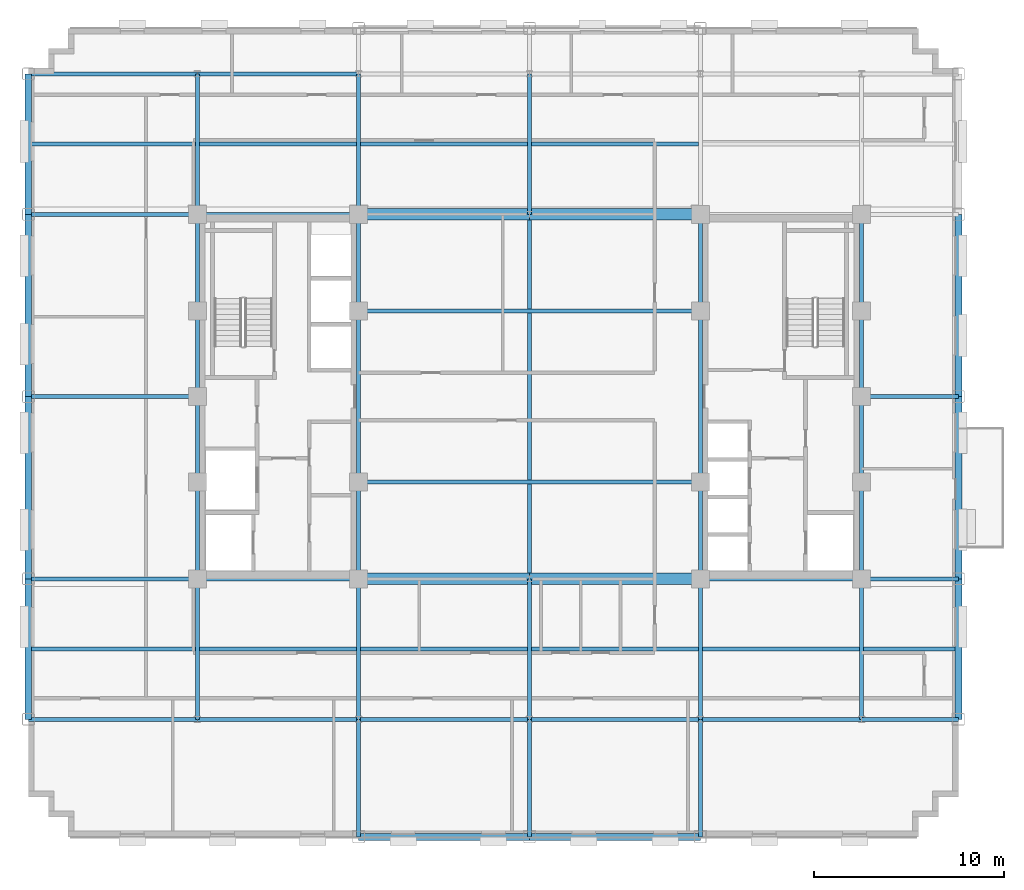
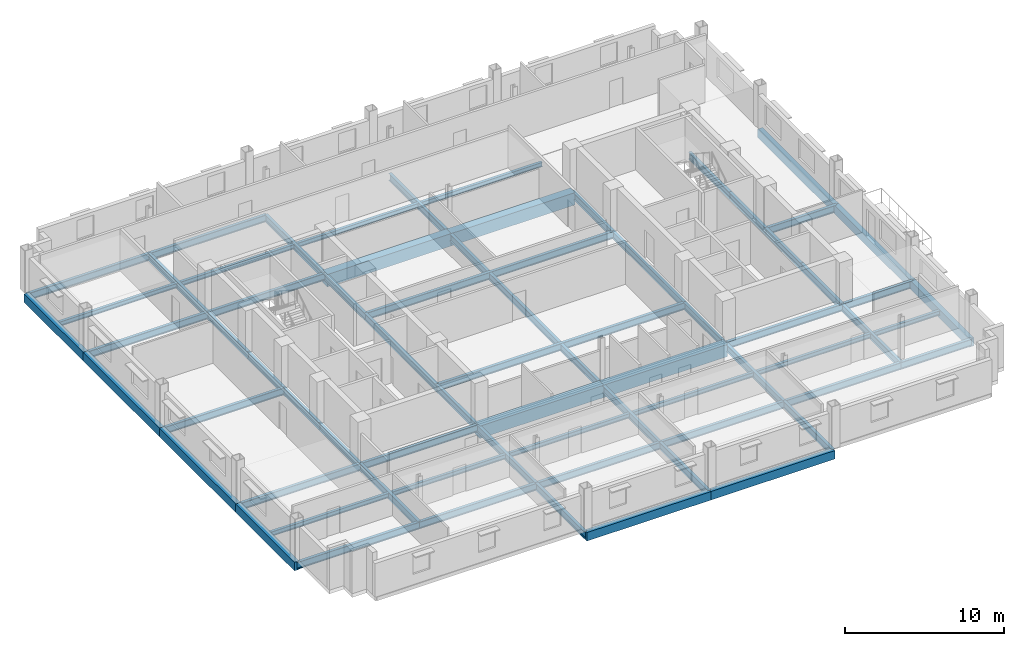
# One storey, part 5 of 14: 67 beams.
"""IFC4 building model written with IfcOpenShell, lengths in metres."""

from ifc_helpers import new_model, si_unit, direction, frame, origin, origin_2d, place, context, subcontext, project, spatial, rectangle, i_section, extrude, material, material_profile, profile_set, type_object, element, save


model = new_model("IFC4")

# Units and contexts
model_context = context("Model", 3, precision=1e-05, world=origin(), true_north=direction((0.0, 1.0)))
body_context = subcontext(model_context, "Body", "Model", "MODEL_VIEW")
ifc_project = project(units=[si_unit("LENGTHUNIT", "METRE"), si_unit("AREAUNIT", "SQUARE_METRE"), si_unit("VOLUMEUNIT", "CUBIC_METRE"), si_unit("PLANEANGLEUNIT", "RADIAN"), si_unit("MASSUNIT", "GRAM", prefix="KILO")], contexts=[model_context])

# Site, building, storey
site_placement = place(None, origin())
site = spatial("IfcSite", under=ifc_project, at=site_placement, CompositionType="ELEMENT")
building_placement = place(site_placement, origin())
building = spatial("IfcBuilding", under=site, at=building_placement, Name="Nuvemarco Arch Tower", CompositionType="ELEMENT")
storey_placement = place(building_placement, frame((0.0, 0.0, 182.25)))
storey = spatial("IfcBuildingStorey", under=building, at=storey_placement, Name="L48", CompositionType="ELEMENT", Elevation=182.25)

# Beams
ifc_material_1 = material(Name="Concrete C60/75", Category="concrete")
ifc_material_profile_1 = material_profile(ifc_material_1, rectangle(XDim=0.60009765625, YDim=0.949951171875, at=origin_2d()), Name="RC-BM-600x950")
ifc_profile_set_1 = profile_set([ifc_material_profile_1], Name="Concrete C60/75")
beam_type_1 = type_object("IfcBeamType", Name="BM-COUP-RC", PredefinedType="LINTEL", material=ifc_profile_set_1)
for number, where, z_axis, x_axis, name in (
    (1, (-9.0, -9.60009765625, -0.7548828125), (1.0, 0.0, 0.0), (0.0, 1.0, 0.0), "L48 structural beam BGEW_L48_0_-9.6_-9.0"),
    (2, (0.0, -9.60009765625, -0.7548828125), (1.0, 0.0, 0.0), (0.0, 1.0, 0.0), "L48 structural beam BGEW_L48_0_-9.6_+0.0"),
    (3, (-9.0, 9.60009765625, -0.7548828125), (1.0, 0.0, 0.0), (0.0, 1.0, 0.0), "L48 structural beam BGEW_L48_0_+9.6_-9.0"),
    (4, (0.0, 9.60009765625, -0.7548828125), (1.0, 0.0, 0.0), (0.0, 1.0, 0.0), "L48 structural beam BGEW_L48_0_+9.6_+0.0"),
):
    element("IfcBeam", number, at=place(storey_placement, frame(where, z_axis=z_axis, x_axis=x_axis)), inside=storey, type_object=beam_type_1, Name=name, PredefinedType="LINTEL", context=body_context, shape_type="SweptSolid", body=[
        extrude(rectangle(XDim=0.60009765625, YDim=0.949951171875, at=origin_2d()), origin(), (0.0, 0.0, 1.0), 9.0),
    ])
ifc_material_2 = material(Name="Steel S355", Category="steel")
ifc_material_profile_2 = material_profile(ifc_material_2, i_section(OverallWidth=0.2109375, OverallDepth=0.5390625, WebThickness=0.01171875, FlangeThickness=0.018798828125, FilletRadius=0.01611328125, at=origin_2d()), Name="W530x109")
ifc_profile_set_2 = profile_set([ifc_material_profile_2], Name="Steel S355")
beam_type_2 = type_object("IfcBeamType", Name="BM-GIRD-530", PredefinedType="BEAM", material=ifc_profile_set_2)
beam_1_placement = place(storey_placement, frame((-17.5, -17.0, -0.549560546875), z_axis=(0.0, 1.0, 0.0), x_axis=(-1.0, 0.0, 0.0)))
element("IfcBeam", 5, at=beam_1_placement, inside=storey, type_object=beam_type_2, Name="L48 structural beam BGNS_L48_0_-17.5_-17.0", PredefinedType="BEAM", context=body_context, shape_type="SweptSolid", body=[
    extrude(i_section(OverallWidth=0.2109375, OverallDepth=0.5390625, WebThickness=0.01171875, FlangeThickness=0.018798828125, FilletRadius=0.01611328125, at=origin_2d()), origin(), (0.0, 0.0, 1.0), 7.39990234375),
])
beam_2_placement = place(storey_placement, frame((-17.5, -9.60009765625, -0.549560546875), z_axis=(0.0, 1.0, 0.0), x_axis=(-1.0, 0.0, 0.0)))
element("IfcBeam", 6, at=beam_2_placement, inside=storey, type_object=beam_type_2, Name="L48 structural beam BGNS_L48_0_-17.5_-9.6", PredefinedType="BEAM", context=body_context, shape_type="SweptSolid", body=[
    extrude(i_section(OverallWidth=0.2109375, OverallDepth=0.5390625, WebThickness=0.01171875, FlangeThickness=0.018798828125, FilletRadius=0.01611328125, at=origin_2d()), origin(), (0.0, 0.0, 1.0), 5.10009765625),
])
for number, where, z_axis, x_axis, name in (
    (7, (-17.5, -4.5, -0.549560546875), (0.0, 1.0, 0.0), (-1.0, 0.0, 0.0), "L48 structural beam BGNS_L48_0_-17.5_-4.5"),
    (8, (-17.5, 0.0, -0.549560546875), (0.0, 1.0, 0.0), (-1.0, 0.0, 0.0), "L48 structural beam BGNS_L48_0_-17.5_+0.0"),
):
    element("IfcBeam", number, at=place(storey_placement, frame(where, z_axis=z_axis, x_axis=x_axis)), inside=storey, type_object=beam_type_2, Name=name, PredefinedType="BEAM", context=body_context, shape_type="SweptSolid", body=[
        extrude(i_section(OverallWidth=0.2109375, OverallDepth=0.5390625, WebThickness=0.01171875, FlangeThickness=0.018798828125, FilletRadius=0.01611328125, at=origin_2d()), origin(), (0.0, 0.0, 1.0), 4.5),
    ])
beam_3_placement = place(storey_placement, frame((-17.5, 4.5, -0.549560546875), z_axis=(0.0, 1.0, 0.0), x_axis=(-1.0, 0.0, 0.0)))
element("IfcBeam", 9, at=beam_3_placement, inside=storey, type_object=beam_type_2, Name="L48 structural beam BGNS_L48_0_-17.5_+4.5", PredefinedType="BEAM", context=body_context, shape_type="SweptSolid", body=[
    extrude(i_section(OverallWidth=0.2109375, OverallDepth=0.5390625, WebThickness=0.01171875, FlangeThickness=0.018798828125, FilletRadius=0.01611328125, at=origin_2d()), origin(), (0.0, 0.0, 1.0), 5.10009765625),
])
beam_4_placement = place(storey_placement, frame((-17.5, 9.60009765625, -0.549560546875), z_axis=(0.0, 1.0, 0.0), x_axis=(-1.0, 0.0, 0.0)))
element("IfcBeam", 10, at=beam_4_placement, inside=storey, type_object=beam_type_2, Name="L48 structural beam BGNS_L48_0_-17.5_+9.6", PredefinedType="BEAM", context=body_context, shape_type="SweptSolid", body=[
    extrude(i_section(OverallWidth=0.2109375, OverallDepth=0.5390625, WebThickness=0.01171875, FlangeThickness=0.018798828125, FilletRadius=0.01611328125, at=origin_2d()), origin(), (0.0, 0.0, 1.0), 7.39990234375),
])
beam_5_placement = place(storey_placement, frame((-9.0, -23.199951171875, -0.549560546875), z_axis=(0.0, 1.0, 0.0), x_axis=(-1.0, 0.0, 0.0)))
element("IfcBeam", 11, at=beam_5_placement, inside=storey, type_object=beam_type_2, Name="L48 structural beam BGNS_L48_0_-9.0_-23.2", PredefinedType="BEAM", context=body_context, shape_type="SweptSolid", body=[
    extrude(i_section(OverallWidth=0.2109375, OverallDepth=0.5390625, WebThickness=0.01171875, FlangeThickness=0.018798828125, FilletRadius=0.01611328125, at=origin_2d()), origin(), (0.0, 0.0, 1.0), 6.199951171875),
])
beam_6_placement = place(storey_placement, frame((-9.0, -17.0, -0.549560546875), z_axis=(0.0, 1.0, 0.0), x_axis=(-1.0, 0.0, 0.0)))
element("IfcBeam", 12, at=beam_6_placement, inside=storey, type_object=beam_type_2, Name="L48 structural beam BGNS_L48_0_-9.0_-17.0", PredefinedType="BEAM", context=body_context, shape_type="SweptSolid", body=[
    extrude(i_section(OverallWidth=0.2109375, OverallDepth=0.5390625, WebThickness=0.01171875, FlangeThickness=0.018798828125, FilletRadius=0.01611328125, at=origin_2d()), origin(), (0.0, 0.0, 1.0), 7.39990234375),
])
beam_7_placement = place(storey_placement, frame((-9.0, -9.60009765625, -0.549560546875), z_axis=(0.0, 1.0, 0.0), x_axis=(-1.0, 0.0, 0.0)))
element("IfcBeam", 13, at=beam_7_placement, inside=storey, type_object=beam_type_2, Name="L48 structural beam BGNS_L48_0_-9.0_-9.6", PredefinedType="BEAM", context=body_context, shape_type="SweptSolid", body=[
    extrude(i_section(OverallWidth=0.2109375, OverallDepth=0.5390625, WebThickness=0.01171875, FlangeThickness=0.018798828125, FilletRadius=0.01611328125, at=origin_2d()), origin(), (0.0, 0.0, 1.0), 5.10009765625),
])
beam_8_placement = place(storey_placement, frame((-9.0, -4.5, -0.549560546875), z_axis=(0.0, 1.0, 0.0), x_axis=(-1.0, 0.0, 0.0)))
element("IfcBeam", 14, at=beam_8_placement, inside=storey, type_object=beam_type_2, Name="L48 structural beam BGNS_L48_0_-9.0_-4.5", PredefinedType="BEAM", context=body_context, shape_type="SweptSolid", body=[
    extrude(i_section(OverallWidth=0.2109375, OverallDepth=0.5390625, WebThickness=0.01171875, FlangeThickness=0.018798828125, FilletRadius=0.01611328125, at=origin_2d()), origin(), (0.0, 0.0, 1.0), 9.0),
])
beam_9_placement = place(storey_placement, frame((-9.0, 4.5, -0.549560546875), z_axis=(0.0, 1.0, 0.0), x_axis=(-1.0, 0.0, 0.0)))
element("IfcBeam", 15, at=beam_9_placement, inside=storey, type_object=beam_type_2, Name="L48 structural beam BGNS_L48_0_-9.0_+4.5", PredefinedType="BEAM", context=body_context, shape_type="SweptSolid", body=[
    extrude(i_section(OverallWidth=0.2109375, OverallDepth=0.5390625, WebThickness=0.01171875, FlangeThickness=0.018798828125, FilletRadius=0.01611328125, at=origin_2d()), origin(), (0.0, 0.0, 1.0), 5.10009765625),
])
beam_10_placement = place(storey_placement, frame((-9.0, 9.60009765625, -0.549560546875), z_axis=(0.0, 1.0, 0.0), x_axis=(-1.0, 0.0, 0.0)))
element("IfcBeam", 16, at=beam_10_placement, inside=storey, type_object=beam_type_2, Name="L48 structural beam BGNS_L48_0_-9.0_+9.6", PredefinedType="BEAM", context=body_context, shape_type="SweptSolid", body=[
    extrude(i_section(OverallWidth=0.2109375, OverallDepth=0.5390625, WebThickness=0.01171875, FlangeThickness=0.018798828125, FilletRadius=0.01611328125, at=origin_2d()), origin(), (0.0, 0.0, 1.0), 7.39990234375),
])
beam_11_placement = place(storey_placement, frame((0.0, -23.199951171875, -0.549560546875), z_axis=(0.0, 1.0, 0.0), x_axis=(-1.0, 0.0, 0.0)))
element("IfcBeam", 17, at=beam_11_placement, inside=storey, type_object=beam_type_2, Name="L48 structural beam BGNS_L48_0_+0.0_-23.2", PredefinedType="BEAM", context=body_context, shape_type="SweptSolid", body=[
    extrude(i_section(OverallWidth=0.2109375, OverallDepth=0.5390625, WebThickness=0.01171875, FlangeThickness=0.018798828125, FilletRadius=0.01611328125, at=origin_2d()), origin(), (0.0, 0.0, 1.0), 6.199951171875),
])
beam_12_placement = place(storey_placement, frame((0.0, -17.0, -0.549560546875), z_axis=(0.0, 1.0, 0.0), x_axis=(-1.0, 0.0, 0.0)))
element("IfcBeam", 18, at=beam_12_placement, inside=storey, type_object=beam_type_2, Name="L48 structural beam BGNS_L48_0_+0.0_-17.0", PredefinedType="BEAM", context=body_context, shape_type="SweptSolid", body=[
    extrude(i_section(OverallWidth=0.2109375, OverallDepth=0.5390625, WebThickness=0.01171875, FlangeThickness=0.018798828125, FilletRadius=0.01611328125, at=origin_2d()), origin(), (0.0, 0.0, 1.0), 7.39990234375),
])
beam_13_placement = place(storey_placement, frame((0.0, -9.60009765625, -0.549560546875), z_axis=(0.0, 1.0, 0.0), x_axis=(-1.0, 0.0, 0.0)))
element("IfcBeam", 19, at=beam_13_placement, inside=storey, type_object=beam_type_2, Name="L48 structural beam BGNS_L48_0_+0.0_-9.6", PredefinedType="BEAM", context=body_context, shape_type="SweptSolid", body=[
    extrude(i_section(OverallWidth=0.2109375, OverallDepth=0.5390625, WebThickness=0.01171875, FlangeThickness=0.018798828125, FilletRadius=0.01611328125, at=origin_2d()), origin(), (0.0, 0.0, 1.0), 19.2001953125),
])
beam_14_placement = place(storey_placement, frame((0.0, 9.60009765625, -0.549560546875), z_axis=(0.0, 1.0, 0.0), x_axis=(-1.0, 0.0, 0.0)))
element("IfcBeam", 20, at=beam_14_placement, inside=storey, type_object=beam_type_2, Name="L48 structural beam BGNS_L48_0_+0.0_+9.6", PredefinedType="BEAM", context=body_context, shape_type="SweptSolid", body=[
    extrude(i_section(OverallWidth=0.2109375, OverallDepth=0.5390625, WebThickness=0.01171875, FlangeThickness=0.018798828125, FilletRadius=0.01611328125, at=origin_2d()), origin(), (0.0, 0.0, 1.0), 7.39990234375),
])
beam_15_placement = place(storey_placement, frame((9.0, -23.199951171875, -0.549560546875), z_axis=(0.0, 1.0, 0.0), x_axis=(-1.0, 0.0, 0.0)))
element("IfcBeam", 21, at=beam_15_placement, inside=storey, type_object=beam_type_2, Name="L48 structural beam BGNS_L48_0_+9.0_-23.2", PredefinedType="BEAM", context=body_context, shape_type="SweptSolid", body=[
    extrude(i_section(OverallWidth=0.2109375, OverallDepth=0.5390625, WebThickness=0.01171875, FlangeThickness=0.018798828125, FilletRadius=0.01611328125, at=origin_2d()), origin(), (0.0, 0.0, 1.0), 6.199951171875),
])
beam_16_placement = place(storey_placement, frame((9.0, -17.0, -0.549560546875), z_axis=(0.0, 1.0, 0.0), x_axis=(-1.0, 0.0, 0.0)))
element("IfcBeam", 22, at=beam_16_placement, inside=storey, type_object=beam_type_2, Name="L48 structural beam BGNS_L48_0_+9.0_-17.0", PredefinedType="BEAM", context=body_context, shape_type="SweptSolid", body=[
    extrude(i_section(OverallWidth=0.2109375, OverallDepth=0.5390625, WebThickness=0.01171875, FlangeThickness=0.018798828125, FilletRadius=0.01611328125, at=origin_2d()), origin(), (0.0, 0.0, 1.0), 7.39990234375),
])
beam_17_placement = place(storey_placement, frame((9.0, -9.60009765625, -0.549560546875), z_axis=(0.0, 1.0, 0.0), x_axis=(-1.0, 0.0, 0.0)))
element("IfcBeam", 23, at=beam_17_placement, inside=storey, type_object=beam_type_2, Name="L48 structural beam BGNS_L48_0_+9.0_-9.6", PredefinedType="BEAM", context=body_context, shape_type="SweptSolid", body=[
    extrude(i_section(OverallWidth=0.2109375, OverallDepth=0.5390625, WebThickness=0.01171875, FlangeThickness=0.018798828125, FilletRadius=0.01611328125, at=origin_2d()), origin(), (0.0, 0.0, 1.0), 5.10009765625),
])
beam_18_placement = place(storey_placement, frame((9.0, -4.5, -0.549560546875), z_axis=(0.0, 1.0, 0.0), x_axis=(-1.0, 0.0, 0.0)))
element("IfcBeam", 24, at=beam_18_placement, inside=storey, type_object=beam_type_2, Name="L48 structural beam BGNS_L48_0_+9.0_-4.5", PredefinedType="BEAM", context=body_context, shape_type="SweptSolid", body=[
    extrude(i_section(OverallWidth=0.2109375, OverallDepth=0.5390625, WebThickness=0.01171875, FlangeThickness=0.018798828125, FilletRadius=0.01611328125, at=origin_2d()), origin(), (0.0, 0.0, 1.0), 9.0),
])
beam_19_placement = place(storey_placement, frame((9.0, 4.5, -0.549560546875), z_axis=(0.0, 1.0, 0.0), x_axis=(-1.0, 0.0, 0.0)))
element("IfcBeam", 25, at=beam_19_placement, inside=storey, type_object=beam_type_2, Name="L48 structural beam BGNS_L48_0_+9.0_+4.5", PredefinedType="BEAM", context=body_context, shape_type="SweptSolid", body=[
    extrude(i_section(OverallWidth=0.2109375, OverallDepth=0.5390625, WebThickness=0.01171875, FlangeThickness=0.018798828125, FilletRadius=0.01611328125, at=origin_2d()), origin(), (0.0, 0.0, 1.0), 5.10009765625),
])
beam_20_placement = place(storey_placement, frame((17.5, -17.0, -0.549560546875), z_axis=(0.0, 1.0, 0.0), x_axis=(-1.0, 0.0, 0.0)))
element("IfcBeam", 26, at=beam_20_placement, inside=storey, type_object=beam_type_2, Name="L48 structural beam BGNS_L48_0_+17.5_-17.0", PredefinedType="BEAM", context=body_context, shape_type="SweptSolid", body=[
    extrude(i_section(OverallWidth=0.2109375, OverallDepth=0.5390625, WebThickness=0.01171875, FlangeThickness=0.018798828125, FilletRadius=0.01611328125, at=origin_2d()), origin(), (0.0, 0.0, 1.0), 7.39990234375),
])
beam_21_placement = place(storey_placement, frame((17.5, -9.60009765625, -0.549560546875), z_axis=(0.0, 1.0, 0.0), x_axis=(-1.0, 0.0, 0.0)))
element("IfcBeam", 27, at=beam_21_placement, inside=storey, type_object=beam_type_2, Name="L48 structural beam BGNS_L48_0_+17.5_-9.6", PredefinedType="BEAM", context=body_context, shape_type="SweptSolid", body=[
    extrude(i_section(OverallWidth=0.2109375, OverallDepth=0.5390625, WebThickness=0.01171875, FlangeThickness=0.018798828125, FilletRadius=0.01611328125, at=origin_2d()), origin(), (0.0, 0.0, 1.0), 5.10009765625),
])
for number, where, z_axis, x_axis, name in (
    (28, (17.5, -4.5, -0.549560546875), (0.0, 1.0, 0.0), (-1.0, 0.0, 0.0), "L48 structural beam BGNS_L48_0_+17.5_-4.5"),
    (29, (17.5, 0.0, -0.549560546875), (0.0, 1.0, 0.0), (-1.0, 0.0, 0.0), "L48 structural beam BGNS_L48_0_+17.5_+0.0"),
):
    element("IfcBeam", number, at=place(storey_placement, frame(where, z_axis=z_axis, x_axis=x_axis)), inside=storey, type_object=beam_type_2, Name=name, PredefinedType="BEAM", context=body_context, shape_type="SweptSolid", body=[
        extrude(i_section(OverallWidth=0.2109375, OverallDepth=0.5390625, WebThickness=0.01171875, FlangeThickness=0.018798828125, FilletRadius=0.01611328125, at=origin_2d()), origin(), (0.0, 0.0, 1.0), 4.5),
    ])
beam_22_placement = place(storey_placement, frame((17.5, 4.5, -0.549560546875), z_axis=(0.0, 1.0, 0.0), x_axis=(-1.0, 0.0, 0.0)))
element("IfcBeam", 30, at=beam_22_placement, inside=storey, type_object=beam_type_2, Name="L48 structural beam BGNS_L48_0_+17.5_+4.5", PredefinedType="BEAM", context=body_context, shape_type="SweptSolid", body=[
    extrude(i_section(OverallWidth=0.2109375, OverallDepth=0.5390625, WebThickness=0.01171875, FlangeThickness=0.018798828125, FilletRadius=0.01611328125, at=origin_2d()), origin(), (0.0, 0.0, 1.0), 5.10009765625),
])
beam_23_placement = place(storey_placement, frame((-26.39990234375, -17.0, -0.549560546875), z_axis=(1.0, 0.0, 0.0), x_axis=(0.0, 1.0, 0.0)))
element("IfcBeam", 31, at=beam_23_placement, inside=storey, type_object=beam_type_2, Name="L48 structural beam BGEW_L48_0_-17.0_-26.4", PredefinedType="BEAM", context=body_context, shape_type="SweptSolid", body=[
    extrude(i_section(OverallWidth=0.2109375, OverallDepth=0.5390625, WebThickness=0.01171875, FlangeThickness=0.018798828125, FilletRadius=0.01611328125, at=origin_2d()), origin(), (0.0, 0.0, 1.0), 8.89990234375),
])
beam_24_placement = place(storey_placement, frame((-17.5, -17.0, -0.549560546875), z_axis=(1.0, 0.0, 0.0), x_axis=(0.0, 1.0, 0.0)))
element("IfcBeam", 32, at=beam_24_placement, inside=storey, type_object=beam_type_2, Name="L48 structural beam BGEW_L48_0_-17.0_-17.5", PredefinedType="BEAM", context=body_context, shape_type="SweptSolid", body=[
    extrude(i_section(OverallWidth=0.2109375, OverallDepth=0.5390625, WebThickness=0.01171875, FlangeThickness=0.018798828125, FilletRadius=0.01611328125, at=origin_2d()), origin(), (0.0, 0.0, 1.0), 8.5),
])
for number, where, z_axis, x_axis, name in (
    (33, (-9.0, -17.0, -0.549560546875), (1.0, 0.0, 0.0), (0.0, 1.0, 0.0), "L48 structural beam BGEW_L48_0_-17.0_-9.0"),
    (34, (0.0, -17.0, -0.549560546875), (1.0, 0.0, 0.0), (0.0, 1.0, 0.0), "L48 structural beam BGEW_L48_0_-17.0_+0.0"),
):
    element("IfcBeam", number, at=place(storey_placement, frame(where, z_axis=z_axis, x_axis=x_axis)), inside=storey, type_object=beam_type_2, Name=name, PredefinedType="BEAM", context=body_context, shape_type="SweptSolid", body=[
        extrude(i_section(OverallWidth=0.2109375, OverallDepth=0.5390625, WebThickness=0.01171875, FlangeThickness=0.018798828125, FilletRadius=0.01611328125, at=origin_2d()), origin(), (0.0, 0.0, 1.0), 9.0),
    ])
beam_25_placement = place(storey_placement, frame((9.0, -17.0, -0.549560546875), z_axis=(1.0, 0.0, 0.0), x_axis=(0.0, 1.0, 0.0)))
element("IfcBeam", 35, at=beam_25_placement, inside=storey, type_object=beam_type_2, Name="L48 structural beam BGEW_L48_0_-17.0_+9.0", PredefinedType="BEAM", context=body_context, shape_type="SweptSolid", body=[
    extrude(i_section(OverallWidth=0.2109375, OverallDepth=0.5390625, WebThickness=0.01171875, FlangeThickness=0.018798828125, FilletRadius=0.01611328125, at=origin_2d()), origin(), (0.0, 0.0, 1.0), 8.5),
])
beam_26_placement = place(storey_placement, frame((17.5, -17.0, -0.549560546875), z_axis=(1.0, 0.0, 0.0), x_axis=(0.0, 1.0, 0.0)))
element("IfcBeam", 36, at=beam_26_placement, inside=storey, type_object=beam_type_2, Name="L48 structural beam BGEW_L48_0_-17.0_+17.5", PredefinedType="BEAM", context=body_context, shape_type="SweptSolid", body=[
    extrude(i_section(OverallWidth=0.2109375, OverallDepth=0.5390625, WebThickness=0.01171875, FlangeThickness=0.018798828125, FilletRadius=0.01611328125, at=origin_2d()), origin(), (0.0, 0.0, 1.0), 5.10009765625),
])
beam_27_placement = place(storey_placement, frame((-26.39990234375, -9.60009765625, -0.549560546875), z_axis=(1.0, 0.0, 0.0), x_axis=(0.0, 1.0, 0.0)))
element("IfcBeam", 37, at=beam_27_placement, inside=storey, type_object=beam_type_2, Name="L48 structural beam BGEW_L48_0_-9.6_-26.4", PredefinedType="BEAM", context=body_context, shape_type="SweptSolid", body=[
    extrude(i_section(OverallWidth=0.2109375, OverallDepth=0.5390625, WebThickness=0.01171875, FlangeThickness=0.018798828125, FilletRadius=0.01611328125, at=origin_2d()), origin(), (0.0, 0.0, 1.0), 8.89990234375),
])
for number, where, z_axis, x_axis, name in (
    (38, (-17.5, -9.60009765625, -0.549560546875), (1.0, 0.0, 0.0), (0.0, 1.0, 0.0), "L48 structural beam BGEW_L48_0_-9.6_-17.5"),
    (39, (9.0, -9.60009765625, -0.549560546875), (1.0, 0.0, 0.0), (0.0, 1.0, 0.0), "L48 structural beam BGEW_L48_0_-9.6_+9.0"),
):
    element("IfcBeam", number, at=place(storey_placement, frame(where, z_axis=z_axis, x_axis=x_axis)), inside=storey, type_object=beam_type_2, Name=name, PredefinedType="BEAM", context=body_context, shape_type="SweptSolid", body=[
        extrude(i_section(OverallWidth=0.2109375, OverallDepth=0.5390625, WebThickness=0.01171875, FlangeThickness=0.018798828125, FilletRadius=0.01611328125, at=origin_2d()), origin(), (0.0, 0.0, 1.0), 8.5),
    ])
beam_28_placement = place(storey_placement, frame((17.5, -9.60009765625, -0.549560546875), z_axis=(1.0, 0.0, 0.0), x_axis=(0.0, 1.0, 0.0)))
element("IfcBeam", 40, at=beam_28_placement, inside=storey, type_object=beam_type_2, Name="L48 structural beam BGEW_L48_0_-9.6_+17.5", PredefinedType="BEAM", context=body_context, shape_type="SweptSolid", body=[
    extrude(i_section(OverallWidth=0.2109375, OverallDepth=0.5390625, WebThickness=0.01171875, FlangeThickness=0.018798828125, FilletRadius=0.01611328125, at=origin_2d()), origin(), (0.0, 0.0, 1.0), 5.10009765625),
])
beam_29_placement = place(storey_placement, frame((-9.0, -4.5, -0.549560546875), z_axis=(1.0, 0.0, 0.0), x_axis=(0.0, 1.0, 0.0)))
element("IfcBeam", 41, at=beam_29_placement, inside=storey, type_object=beam_type_2, Name="L48 structural beam BGEW_L48_0_-4.5_-9.0", PredefinedType="BEAM", context=body_context, shape_type="SweptSolid", body=[
    extrude(i_section(OverallWidth=0.2109375, OverallDepth=0.5390625, WebThickness=0.01171875, FlangeThickness=0.018798828125, FilletRadius=0.01611328125, at=origin_2d()), origin(), (0.0, 0.0, 1.0), 18.0),
])
beam_30_placement = place(storey_placement, frame((-26.39990234375, 0.0, -0.549560546875), z_axis=(1.0, 0.0, 0.0), x_axis=(0.0, 1.0, 0.0)))
element("IfcBeam", 42, at=beam_30_placement, inside=storey, type_object=beam_type_2, Name="L48 structural beam BGEW_L48_0_+0.0_-26.4", PredefinedType="BEAM", context=body_context, shape_type="SweptSolid", body=[
    extrude(i_section(OverallWidth=0.2109375, OverallDepth=0.5390625, WebThickness=0.01171875, FlangeThickness=0.018798828125, FilletRadius=0.01611328125, at=origin_2d()), origin(), (0.0, 0.0, 1.0), 8.89990234375),
])
beam_31_placement = place(storey_placement, frame((17.5, 0.0, -0.549560546875), z_axis=(1.0, 0.0, 0.0), x_axis=(0.0, 1.0, 0.0)))
element("IfcBeam", 43, at=beam_31_placement, inside=storey, type_object=beam_type_2, Name="L48 structural beam BGEW_L48_0_+0.0_+17.5", PredefinedType="BEAM", context=body_context, shape_type="SweptSolid", body=[
    extrude(i_section(OverallWidth=0.2109375, OverallDepth=0.5390625, WebThickness=0.01171875, FlangeThickness=0.018798828125, FilletRadius=0.01611328125, at=origin_2d()), origin(), (0.0, 0.0, 1.0), 5.10009765625),
])
beam_32_placement = place(storey_placement, frame((-9.0, 4.5, -0.549560546875), z_axis=(1.0, 0.0, 0.0), x_axis=(0.0, 1.0, 0.0)))
element("IfcBeam", 44, at=beam_32_placement, inside=storey, type_object=beam_type_2, Name="L48 structural beam BGEW_L48_0_+4.5_-9.0", PredefinedType="BEAM", context=body_context, shape_type="SweptSolid", body=[
    extrude(i_section(OverallWidth=0.2109375, OverallDepth=0.5390625, WebThickness=0.01171875, FlangeThickness=0.018798828125, FilletRadius=0.01611328125, at=origin_2d()), origin(), (0.0, 0.0, 1.0), 18.0),
])
beam_33_placement = place(storey_placement, frame((-26.39990234375, 9.60009765625, -0.549560546875), z_axis=(1.0, 0.0, 0.0), x_axis=(0.0, 1.0, 0.0)))
element("IfcBeam", 45, at=beam_33_placement, inside=storey, type_object=beam_type_2, Name="L48 structural beam BGEW_L48_0_+9.6_-26.4", PredefinedType="BEAM", context=body_context, shape_type="SweptSolid", body=[
    extrude(i_section(OverallWidth=0.2109375, OverallDepth=0.5390625, WebThickness=0.01171875, FlangeThickness=0.018798828125, FilletRadius=0.01611328125, at=origin_2d()), origin(), (0.0, 0.0, 1.0), 8.89990234375),
])
beam_34_placement = place(storey_placement, frame((-17.5, 9.60009765625, -0.549560546875), z_axis=(1.0, 0.0, 0.0), x_axis=(0.0, 1.0, 0.0)))
element("IfcBeam", 46, at=beam_34_placement, inside=storey, type_object=beam_type_2, Name="L48 structural beam BGEW_L48_0_+9.6_-17.5", PredefinedType="BEAM", context=body_context, shape_type="SweptSolid", body=[
    extrude(i_section(OverallWidth=0.2109375, OverallDepth=0.5390625, WebThickness=0.01171875, FlangeThickness=0.018798828125, FilletRadius=0.01611328125, at=origin_2d()), origin(), (0.0, 0.0, 1.0), 8.5),
])
beam_35_placement = place(storey_placement, frame((-26.39990234375, 17.0, -0.549560546875), z_axis=(1.0, 0.0, 0.0), x_axis=(0.0, 1.0, 0.0)))
element("IfcBeam", 47, at=beam_35_placement, inside=storey, type_object=beam_type_2, Name="L48 structural beam BGEW_L48_0_+17.0_-26.4", PredefinedType="BEAM", context=body_context, shape_type="SweptSolid", body=[
    extrude(i_section(OverallWidth=0.2109375, OverallDepth=0.5390625, WebThickness=0.01171875, FlangeThickness=0.018798828125, FilletRadius=0.01611328125, at=origin_2d()), origin(), (0.0, 0.0, 1.0), 8.89990234375),
])
beam_36_placement = place(storey_placement, frame((-17.5, 17.0, -0.549560546875), z_axis=(1.0, 0.0, 0.0), x_axis=(0.0, 1.0, 0.0)))
element("IfcBeam", 48, at=beam_36_placement, inside=storey, type_object=beam_type_2, Name="L48 structural beam BGEW_L48_0_+17.0_-17.5", PredefinedType="BEAM", context=body_context, shape_type="SweptSolid", body=[
    extrude(i_section(OverallWidth=0.2109375, OverallDepth=0.5390625, WebThickness=0.01171875, FlangeThickness=0.018798828125, FilletRadius=0.01611328125, at=origin_2d()), origin(), (0.0, 0.0, 1.0), 8.5),
])
ifc_material_profile_3 = material_profile(ifc_material_2, i_section(OverallWidth=0.202880859375, OverallDepth=0.346923828125, WebThickness=0.0078125, FlangeThickness=0.013427734375, FilletRadius=0.014892578125, at=origin_2d()), Name="W360x64")
ifc_profile_set_3 = profile_set([ifc_material_profile_3], Name="Steel S355")
beam_type_3 = type_object("IfcBeamType", Name="BM-JOIST-360", PredefinedType="JOIST", material=ifc_profile_set_3)
beam_37_placement = place(storey_placement, frame((-26.22509765625, -13.300048828125, -0.45361328125), z_axis=(1.0, 0.0, 0.0), x_axis=(0.0, 1.0, 0.0)))
element("IfcBeam", 49, at=beam_37_placement, inside=storey, type_object=beam_type_3, Name="L48 structural beam BJ_L48_0_-13.3_-26.4", PredefinedType="JOIST", context=body_context, shape_type="SweptSolid", body=[
    extrude(i_section(OverallWidth=0.202880859375, OverallDepth=0.346923828125, WebThickness=0.0078125, FlangeThickness=0.013427734375, FilletRadius=0.014892578125, at=origin_2d()), origin(), (0.0, 0.0, 1.0), 8.61962890625),
])
beam_38_placement = place(storey_placement, frame((-17.39453125, -13.300048828125, -0.45361328125), z_axis=(1.0, 0.0, 0.0), x_axis=(0.0, 1.0, 0.0)))
element("IfcBeam", 50, at=beam_38_placement, inside=storey, type_object=beam_type_3, Name="L48 structural beam BJ_L48_0_-13.3_-17.5", PredefinedType="JOIST", context=body_context, shape_type="SweptSolid", body=[
    extrude(i_section(OverallWidth=0.202880859375, OverallDepth=0.346923828125, WebThickness=0.0078125, FlangeThickness=0.013427734375, FilletRadius=0.014892578125, at=origin_2d()), origin(), (0.0, 0.0, 1.0), 8.2890625),
])
for number, where, z_axis, x_axis, name in (
    (51, (-8.89453125, -13.300048828125, -0.45361328125), (1.0, 0.0, 0.0), (0.0, 1.0, 0.0), "L48 structural beam BJ_L48_0_-13.3_-9.0"),
    (52, (0.10546875, -13.300048828125, -0.45361328125), (1.0, 0.0, 0.0), (0.0, 1.0, 0.0), "L48 structural beam BJ_L48_0_-13.3_+0.0"),
):
    element("IfcBeam", number, at=place(storey_placement, frame(where, z_axis=z_axis, x_axis=x_axis)), inside=storey, type_object=beam_type_3, Name=name, PredefinedType="JOIST", context=body_context, shape_type="SweptSolid", body=[
        extrude(i_section(OverallWidth=0.202880859375, OverallDepth=0.346923828125, WebThickness=0.0078125, FlangeThickness=0.013427734375, FilletRadius=0.014892578125, at=origin_2d()), origin(), (0.0, 0.0, 1.0), 8.7890625),
    ])
beam_39_placement = place(storey_placement, frame((9.10546875, -13.300048828125, -0.45361328125), z_axis=(1.0, 0.0, 0.0), x_axis=(0.0, 1.0, 0.0)))
element("IfcBeam", 53, at=beam_39_placement, inside=storey, type_object=beam_type_3, Name="L48 structural beam BJ_L48_0_-13.3_+9.0", PredefinedType="JOIST", context=body_context, shape_type="SweptSolid", body=[
    extrude(i_section(OverallWidth=0.202880859375, OverallDepth=0.346923828125, WebThickness=0.0078125, FlangeThickness=0.013427734375, FilletRadius=0.014892578125, at=origin_2d()), origin(), (0.0, 0.0, 1.0), 8.2890625),
])
beam_40_placement = place(storey_placement, frame((17.60546875, -13.300048828125, -0.45361328125), z_axis=(1.0, 0.0, 0.0), x_axis=(0.0, 1.0, 0.0)))
element("IfcBeam", 54, at=beam_40_placement, inside=storey, type_object=beam_type_3, Name="L48 structural beam BJ_L48_0_-13.3_+17.5", PredefinedType="JOIST", context=body_context, shape_type="SweptSolid", body=[
    extrude(i_section(OverallWidth=0.202880859375, OverallDepth=0.346923828125, WebThickness=0.0078125, FlangeThickness=0.013427734375, FilletRadius=0.014892578125, at=origin_2d()), origin(), (0.0, 0.0, 1.0), 4.819580078125),
])
beam_41_placement = place(storey_placement, frame((-26.22509765625, 13.300048828125, -0.45361328125), z_axis=(1.0, 0.0, 0.0), x_axis=(0.0, 1.0, 0.0)))
element("IfcBeam", 55, at=beam_41_placement, inside=storey, type_object=beam_type_3, Name="L48 structural beam BJ_L48_0_+13.3_-26.4", PredefinedType="JOIST", context=body_context, shape_type="SweptSolid", body=[
    extrude(i_section(OverallWidth=0.202880859375, OverallDepth=0.346923828125, WebThickness=0.0078125, FlangeThickness=0.013427734375, FilletRadius=0.014892578125, at=origin_2d()), origin(), (0.0, 0.0, 1.0), 8.61962890625),
])
beam_42_placement = place(storey_placement, frame((-17.39453125, 13.300048828125, -0.45361328125), z_axis=(1.0, 0.0, 0.0), x_axis=(0.0, 1.0, 0.0)))
element("IfcBeam", 56, at=beam_42_placement, inside=storey, type_object=beam_type_3, Name="L48 structural beam BJ_L48_0_+13.3_-17.5", PredefinedType="JOIST", context=body_context, shape_type="SweptSolid", body=[
    extrude(i_section(OverallWidth=0.202880859375, OverallDepth=0.346923828125, WebThickness=0.0078125, FlangeThickness=0.013427734375, FilletRadius=0.014892578125, at=origin_2d()), origin(), (0.0, 0.0, 1.0), 8.2890625),
])
for number, where, z_axis, x_axis, name in (
    (57, (-8.89453125, 13.300048828125, -0.45361328125), (1.0, 0.0, 0.0), (0.0, 1.0, 0.0), "L48 structural beam BJ_L48_0_+13.3_-9.0"),
    (58, (0.10546875, 13.300048828125, -0.45361328125), (1.0, 0.0, 0.0), (0.0, 1.0, 0.0), "L48 structural beam BJ_L48_0_+13.3_+0.0"),
):
    element("IfcBeam", number, at=place(storey_placement, frame(where, z_axis=z_axis, x_axis=x_axis)), inside=storey, type_object=beam_type_3, Name=name, PredefinedType="JOIST", context=body_context, shape_type="SweptSolid", body=[
        extrude(i_section(OverallWidth=0.202880859375, OverallDepth=0.346923828125, WebThickness=0.0078125, FlangeThickness=0.013427734375, FilletRadius=0.014892578125, at=origin_2d()), origin(), (0.0, 0.0, 1.0), 8.7890625),
    ])
ifc_material_3 = material(Name="Precast concrete C45/55", Category="concrete")
ifc_material_profile_4 = material_profile(ifc_material_3, rectangle(XDim=0.35009765625, YDim=0.64990234375, at=origin_2d()), Name="PC-SP-350x650")
ifc_profile_set_4 = profile_set([ifc_material_profile_4], Name="Precast concrete C45/55")
beam_type_4 = type_object("IfcBeamType", Name="BM-SPAN-RC", PredefinedType="SPANDREL", material=ifc_profile_set_4)
beam_43_placement = place(storey_placement, frame((-26.39990234375, -17.0, -0.60498046875), z_axis=(0.0, 1.0, 0.0), x_axis=(-1.0, 0.0, 0.0)))
element("IfcBeam", 59, at=beam_43_placement, inside=storey, type_object=beam_type_4, Name="L48 structural beam BGNS_L48_0_-26.4_-17.0", PredefinedType="SPANDREL", context=body_context, shape_type="SweptSolid", body=[
    extrude(rectangle(XDim=0.35009765625, YDim=0.64990234375, at=origin_2d()), origin(), (0.0, 0.0, 1.0), 7.39990234375),
])
for number, where, z_axis, x_axis, name in (
    (60, (-26.39990234375, -9.60009765625, -0.60498046875), (0.0, 1.0, 0.0), (-1.0, 0.0, 0.0), "L48 structural beam BGNS_L48_0_-26.4_-9.6"),
    (61, (-26.39990234375, 0.0, -0.60498046875), (0.0, 1.0, 0.0), (-1.0, 0.0, 0.0), "L48 structural beam BGNS_L48_0_-26.4_+0.0"),
):
    element("IfcBeam", number, at=place(storey_placement, frame(where, z_axis=z_axis, x_axis=x_axis)), inside=storey, type_object=beam_type_4, Name=name, PredefinedType="SPANDREL", context=body_context, shape_type="SweptSolid", body=[
        extrude(rectangle(XDim=0.35009765625, YDim=0.64990234375, at=origin_2d()), origin(), (0.0, 0.0, 1.0), 9.60009765625),
    ])
for number, where, z_axis, x_axis, name in (
    (62, (-26.39990234375, 9.60009765625, -0.60498046875), (0.0, 1.0, 0.0), (-1.0, 0.0, 0.0), "L48 structural beam BGNS_L48_0_-26.4_+9.6"),
    (63, (22.60009765625, -17.0, -0.60498046875), (0.0, 1.0, 0.0), (-1.0, 0.0, 0.0), "L48 structural beam BGNS_L48_0_+22.6_-17.0"),
):
    element("IfcBeam", number, at=place(storey_placement, frame(where, z_axis=z_axis, x_axis=x_axis)), inside=storey, type_object=beam_type_4, Name=name, PredefinedType="SPANDREL", context=body_context, shape_type="SweptSolid", body=[
        extrude(rectangle(XDim=0.35009765625, YDim=0.64990234375, at=origin_2d()), origin(), (0.0, 0.0, 1.0), 7.39990234375),
    ])
for number, where, z_axis, x_axis, name in (
    (64, (22.60009765625, -9.60009765625, -0.60498046875), (0.0, 1.0, 0.0), (-1.0, 0.0, 0.0), "L48 structural beam BGNS_L48_0_+22.6_-9.6"),
    (65, (22.60009765625, 0.0, -0.60498046875), (0.0, 1.0, 0.0), (-1.0, 0.0, 0.0), "L48 structural beam BGNS_L48_0_+22.6_+0.0"),
):
    element("IfcBeam", number, at=place(storey_placement, frame(where, z_axis=z_axis, x_axis=x_axis)), inside=storey, type_object=beam_type_4, Name=name, PredefinedType="SPANDREL", context=body_context, shape_type="SweptSolid", body=[
        extrude(rectangle(XDim=0.35009765625, YDim=0.64990234375, at=origin_2d()), origin(), (0.0, 0.0, 1.0), 9.60009765625),
    ])
for number, where, z_axis, x_axis, name in (
    (66, (-9.0, -23.199951171875, -0.60498046875), (1.0, 0.0, 0.0), (0.0, 1.0, 0.0), "L48 structural beam BGEW_L48_0_-23.2_-9.0"),
    (67, (0.0, -23.199951171875, -0.60498046875), (1.0, 0.0, 0.0), (0.0, 1.0, 0.0), "L48 structural beam BGEW_L48_0_-23.2_+0.0"),
):
    element("IfcBeam", number, at=place(storey_placement, frame(where, z_axis=z_axis, x_axis=x_axis)), inside=storey, type_object=beam_type_4, Name=name, PredefinedType="SPANDREL", context=body_context, shape_type="SweptSolid", body=[
        extrude(rectangle(XDim=0.35009765625, YDim=0.64990234375, at=origin_2d()), origin(), (0.0, 0.0, 1.0), 9.0),
    ])

save(model, "model.ifc")
